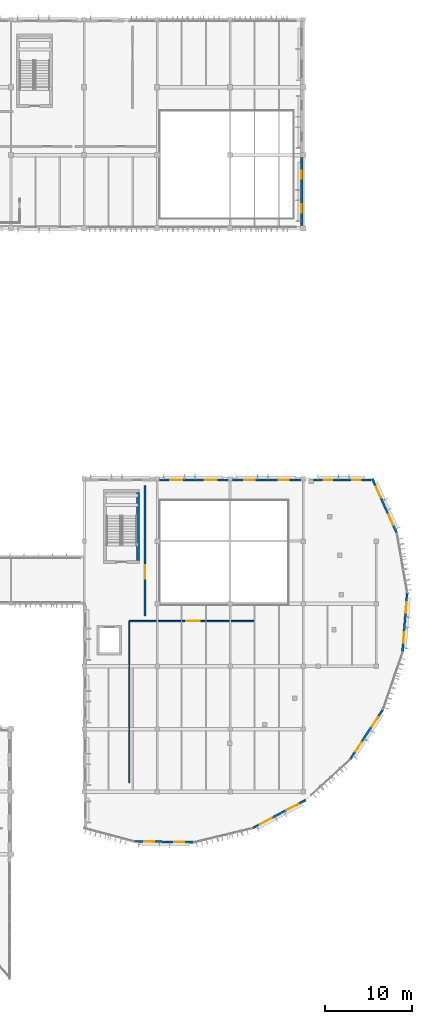
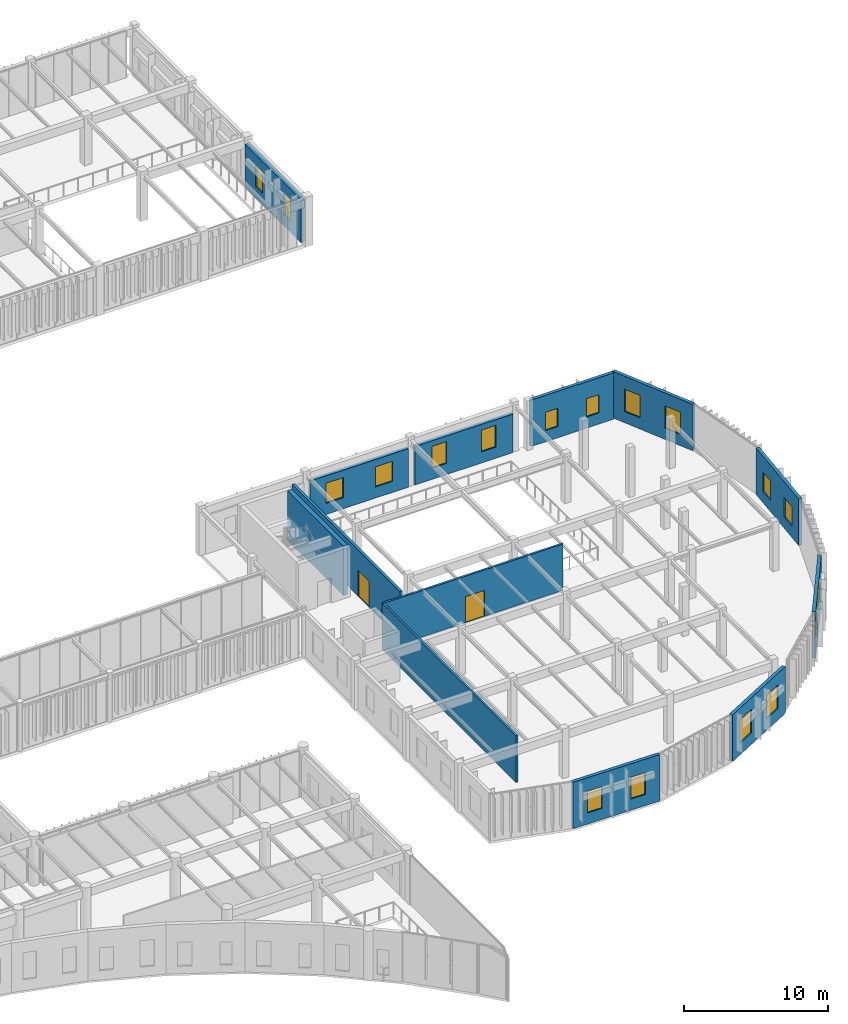
# One storey, part 47 of 122: 18 windows, 13 walls, 2 doors, 20 openings.
"""IFC4 building model written with IfcOpenShell, lengths in metres."""

from ifc_helpers import new_model, si_unit, direction, frame, frame_2d, origin, place, context, subcontext, project, spatial, rectangle, extrude, material, layer, layer_set, type_object, element, fill, save


model = new_model("IFC4")

# Units and contexts
model_context = context("Model", 3, precision=1e-05, world=origin(), true_north=direction((0.0, 1.0)))
body_context = subcontext(model_context, "Body", "Model", "MODEL_VIEW")
ifc_project = project(units=[si_unit("LENGTHUNIT", "METRE"), si_unit("AREAUNIT", "SQUARE_METRE"), si_unit("VOLUMEUNIT", "CUBIC_METRE"), si_unit("PLANEANGLEUNIT", "RADIAN"), si_unit("MASSUNIT", "GRAM", prefix="KILO")], contexts=[model_context])

# Site, building, storey
site_placement = place(None, origin())
site = spatial("IfcSite", under=ifc_project, at=site_placement, CompositionType="ELEMENT")
building_placement = place(site_placement, origin())
building = spatial("IfcBuilding", under=site, at=building_placement, Name="Tazoul Stagehouse", CompositionType="ELEMENT")
storey_placement = place(building_placement, frame((0.0, 0.0, 4.800048828125)))
storey = spatial("IfcBuildingStorey", under=building, at=storey_placement, Name="L01", CompositionType="ELEMENT", Elevation=4.800048828125)

# Wall
ifc_material_1 = material(Name="Concrete C40/50", Category="concrete")
ifc_layer_1 = layer(ifc_material_1, 0.35009765625, Name="Concrete C40/50")
ifc_layer_set_1 = layer_set([ifc_layer_1], Name="Concrete C40/50")
wall_type_1 = type_object("IfcWallType", Name="Core Shear Wall 350", PredefinedType="SOLIDWALL", material=ifc_layer_set_1)
wall_1_placement = place(storey_placement, frame((131.625, 57.39990234375, 0.0), z_axis=(0.0, 0.0, 1.0), x_axis=(0.0, -1.0, 0.0)))
element("IfcWall", 1, at=wall_1_placement, inside=storey, type_object=wall_type_1, Name="L01 Core Wall CW-350 (SHF-ST-07-east)", PredefinedType="SOLIDWALL", context=body_context, shape_type="SweptSolid", body=[
    extrude(rectangle(XDim=7.7998046875, YDim=0.35009765625, at=frame_2d((3.89990234375, 0.0))), origin(), (0.0, 0.0, 1.0), 4.199951171875),
])

# Wall, opening, door
ifc_material_2 = material(Name="Gypsum Acoustic Partition", Category="gypsum")
ifc_layer_2 = layer(ifc_material_2, 0.169921875, Name="Gypsum Acoustic Partition")
ifc_layer_set_2 = layer_set([ifc_layer_2], Name="Gypsum Acoustic Partition")
wall_type_2 = type_object("IfcWallType", Name="Corridor Fire-Rated Partition 170", PredefinedType="PARTITIONING", material=ifc_layer_set_2)
wall_2_placement = place(storey_placement, frame((130.60009765625, 42.60009765625, 0.0), z_axis=(0.0, 0.0, 1.0), x_axis=(1.0, 0.0, 0.0)))
wall_2 = element("IfcWall", 2, at=wall_2_placement, inside=storey, type_object=wall_type_2, Name="L01 Partition PW-170 (PW-RM-L01-052-N)", PredefinedType="PARTITIONING", context=body_context, shape_type="SweptSolid", body=[
    extrude(rectangle(XDim=14.39990234375, YDim=0.169921875, at=frame_2d((7.199951171875, 0.0))), origin(), (0.0, 0.0, 1.0), 3.93994140625),
])
opening_1_placement = place(wall_2_placement, frame((6.549072265625, 0.0, 0.0)))
opening_1 = element("IfcOpeningElement", 3, at=opening_1_placement, cuts=wall_2, Name="Opening ID-16", PredefinedType="OPENING", context=body_context, shape_type="SweptSolid", body=[
    extrude(rectangle(XDim=1.550048828125, YDim=2.199951171875, at=frame_2d((0.77490234375, 1.10009765625))), frame((0.0, 0.10498046875, 0.0), z_axis=(0.0, -1.0, 0.0), x_axis=(1.0, 0.0, 0.0)), (0.0, 0.0, 1.0), 0.2099609375),
])
ifc_material_3 = material(Name="Acoustic Cedar Timber", Category="wood")
door_type = type_object("IfcDoorType", Name="Studio Theatre Acoustic Double Door 1550x2200", OperationType="DOUBLE_DOOR_SINGLE_SWING", PredefinedType="DOOR", material=ifc_material_3)
door_1_placement = place(opening_1_placement, origin())
door_1 = element("IfcDoor", 4, at=door_1_placement, inside=storey, type_object=door_type, Name="L01 Studio Upper Balcony Foyer Door", OperationType="DOUBLE_DOOR_SINGLE_SWING", OverallHeight=2.199951171875, OverallWidth=1.550048828125, PredefinedType="DOOR", context=body_context, shape_type="SweptSolid", body=[
    extrude(rectangle(XDim=1.550048828125, YDim=2.199951171875, at=frame_2d((0.77490234375, 1.10009765625))), frame((0.0, 0.02490234375, 0.0), z_axis=(0.0, -1.0, 0.0), x_axis=(1.0, 0.0, 0.0)), (0.0, 0.0, 1.0), 0.050048828125),
])
fill(opening_1, door_1)

# Wall
wall_3_placement = place(storey_placement, frame((130.60009765625, 24.0, 0.0), z_axis=(0.0, 0.0, 1.0), x_axis=(0.0, 1.0, 0.0)))
element("IfcWall", 5, at=wall_3_placement, inside=storey, type_object=wall_type_2, Name="L01 Partition PW-170 (PW-RM-L01-052-W)", PredefinedType="PARTITIONING", context=body_context, shape_type="SweptSolid", body=[
    extrude(rectangle(XDim=18.60009765625, YDim=0.169921875, at=frame_2d((9.300048828125, 0.0))), origin(), (0.0, 0.0, 1.0), 3.93994140625),
])

# Wall, openings, windows
ifc_material_4 = material(Name="Precast concrete C40/50", Category="concrete")
ifc_layer_3 = layer(ifc_material_4, 0.260009765625, Name="Precast concrete C40/50")
ifc_layer_set_3 = layer_set([ifc_layer_3], Name="Precast concrete C40/50")
wall_type_3 = type_object("IfcWallType", Name="Curved Studio Drum Terracotta-Concrete Wall 260", PredefinedType="SOLIDWALL", material=ifc_layer_set_3)
wall_4_placement = place(storey_placement, frame((131.15869140625, 17.2685546875, 0.0), z_axis=(0.0, 0.0, 1.0), x_axis=(0.999900645824, -0.01409604486, 0.0)))
wall_4 = element("IfcWall", 6, at=wall_4_placement, inside=storey, type_object=wall_type_3, Name="L01 Wall EW-260 (WALL-V4-DRUM-L01-S02-S1)", PredefinedType="SOLIDWALL", context=body_context, shape_type="SweptSolid", body=[
    extrude(rectangle(XDim=6.91064453125, YDim=0.260009765625, at=frame_2d((3.455322265625, 0.0))), origin(), (0.0, 0.0, 1.0), 3.93994140625),
])
opening_2_placement = place(wall_4_placement, frame((1.15771484375, 0.0, 0.949951171875)))
opening_2 = element("IfcOpeningElement", 7, at=opening_2_placement, cuts=wall_4, Name="Opening WN-66", PredefinedType="OPENING", context=body_context, shape_type="SweptSolid", body=[
    extrude(rectangle(XDim=1.139892578125, YDim=1.85009765625, at=frame_2d((0.56982421875, 0.925048828125))), frame((0.0, 0.14990234375, 0.0), z_axis=(0.0, -1.0, 0.0), x_axis=(1.0, 0.0, 0.0)), (0.0, 0.0, 1.0), 0.300048828125),
])
opening_3_placement = place(wall_4_placement, frame((4.61279296875, 0.0, 0.949951171875)))
opening_3 = element("IfcOpeningElement", 8, at=opening_3_placement, cuts=wall_4, Name="Opening WN-66", PredefinedType="OPENING", context=body_context, shape_type="SweptSolid", body=[
    extrude(rectangle(XDim=1.139892578125, YDim=1.85009765625, at=frame_2d((0.56982421875, 0.925048828125))), frame((0.0, 0.14990234375, 0.0), z_axis=(0.0, -1.0, 0.0), x_axis=(1.0, 0.0, 0.0)), (0.0, 0.0, 1.0), 0.300048828125),
])
ifc_material_5 = material(Name="Double Low-E Acoustic Laminated Glass", Category="glass")
window_type_1 = type_object("IfcWindowType", Name="Architectural Acoustic Facade Window 1140x1850", PartitioningType="SINGLE_PANEL", PredefinedType="WINDOW", material=ifc_material_5)
window_1_placement = place(opening_2_placement, origin())
window_1 = element("IfcWindow", 9, at=window_1_placement, inside=storey, type_object=window_type_1, Name="L01 Window WN-66 (WALL-V4-DRUM-L01-S02-S1-W1)", OverallHeight=1.85009765625, OverallWidth=1.139892578125, PartitioningType="SINGLE_PANEL", PredefinedType="WINDOW", context=body_context, shape_type="SweptSolid", body=[
    extrude(rectangle(XDim=1.139892578125, YDim=1.85009765625, at=frame_2d((0.56982421875, 0.925048828125))), frame((0.0, 0.030029296875, 0.0), z_axis=(0.0, -1.0, 0.0), x_axis=(1.0, 0.0, 0.0)), (0.0, 0.0, 1.0), 0.06005859375),
])
fill(opening_2, window_1)
window_2_placement = place(opening_3_placement, origin())
window_2 = element("IfcWindow", 10, at=window_2_placement, inside=storey, type_object=window_type_1, Name="L01 Window WN-66 (WALL-V4-DRUM-L01-S02-S1-W2)", OverallHeight=1.85009765625, OverallWidth=1.139892578125, PartitioningType="SINGLE_PANEL", PredefinedType="WINDOW", context=body_context, shape_type="SweptSolid", body=[
    extrude(rectangle(XDim=1.139892578125, YDim=1.85009765625, at=frame_2d((0.56982421875, 0.925048828125))), frame((0.0, 0.030029296875, 0.0), z_axis=(0.0, -1.0, 0.0), x_axis=(1.0, 0.0, 0.0)), (0.0, 0.0, 1.0), 0.06005859375),
])
fill(opening_3, window_2)

wall_5_placement = place(storey_placement, frame((144.785888671875, 18.793212890625, 0.0), z_axis=(0.0, 0.0, 1.0), x_axis=(0.883302743167, 0.468803011843, 0.0)))
wall_5 = element("IfcWall", 11, at=wall_5_placement, inside=storey, type_object=wall_type_3, Name="L01 Wall EW-260 (WALL-V4-DRUM-L01-S04-S1)", PredefinedType="SOLIDWALL", context=body_context, shape_type="SweptSolid", body=[
    extrude(rectangle(XDim=6.91015625, YDim=0.260009765625, at=frame_2d((3.455078125, 0.0))), origin(), (0.0, 0.0, 1.0), 3.93994140625),
])
opening_4_placement = place(wall_5_placement, frame((0.962646484375, 0.0, 0.949951171875)))
opening_4 = element("IfcOpeningElement", 12, at=opening_4_placement, cuts=wall_5, Name="Opening WN-79", PredefinedType="OPENING", context=body_context, shape_type="SweptSolid", body=[
    extrude(rectangle(XDim=1.530029296875, YDim=2.0, at=frame_2d((0.76513671875, 1.0))), frame((0.0, 0.14990234375, 0.0), z_axis=(0.0, -1.0, 0.0), x_axis=(1.0, 0.0, 0.0)), (0.0, 0.0, 1.0), 0.300048828125),
])
opening_5_placement = place(wall_5_placement, frame((4.417724609375, 0.0, 0.949951171875)))
opening_5 = element("IfcOpeningElement", 13, at=opening_5_placement, cuts=wall_5, Name="Opening WN-79", PredefinedType="OPENING", context=body_context, shape_type="SweptSolid", body=[
    extrude(rectangle(XDim=1.530029296875, YDim=2.0, at=frame_2d((0.76513671875, 1.0))), frame((0.0, 0.14990234375, 0.0), z_axis=(0.0, -1.0, 0.0), x_axis=(1.0, 0.0, 0.0)), (0.0, 0.0, 1.0), 0.300048828125),
])
window_type_2 = type_object("IfcWindowType", Name="Architectural Acoustic Facade Window 1530x2000", PartitioningType="SINGLE_PANEL", PredefinedType="WINDOW", material=ifc_material_5)
window_3_placement = place(opening_4_placement, origin())
window_3 = element("IfcWindow", 14, at=window_3_placement, inside=storey, type_object=window_type_2, Name="L01 Window WN-79 (WALL-V4-DRUM-L01-S04-S1-W1)", OverallHeight=2.0, OverallWidth=1.530029296875, PartitioningType="SINGLE_PANEL", PredefinedType="WINDOW", context=body_context, shape_type="SweptSolid", body=[
    extrude(rectangle(XDim=1.530029296875, YDim=2.0, at=frame_2d((0.76513671875, 1.0))), frame((0.0, 0.030029296875, 0.0), z_axis=(0.0, -1.0, 0.0), x_axis=(1.0, 0.0, 0.0)), (0.0, 0.0, 1.0), 0.06005859375),
])
fill(opening_4, window_3)
window_4_placement = place(opening_5_placement, origin())
window_4 = element("IfcWindow", 15, at=window_4_placement, inside=storey, type_object=window_type_2, Name="L01 Window WN-79 (WALL-V4-DRUM-L01-S04-S1-W2)", OverallHeight=2.0, OverallWidth=1.530029296875, PartitioningType="SINGLE_PANEL", PredefinedType="WINDOW", context=body_context, shape_type="SweptSolid", body=[
    extrude(rectangle(XDim=1.530029296875, YDim=2.0, at=frame_2d((0.76513671875, 1.0))), frame((0.0, 0.030029296875, 0.0), z_axis=(0.0, -1.0, 0.0), x_axis=(1.0, 0.0, 0.0)), (0.0, 0.0, 1.0), 0.06005859375),
])
fill(opening_5, window_4)

wall_6_placement = place(storey_placement, frame((155.99755859375, 26.687255859375, 0.0), z_axis=(0.0, 0.0, 1.0), x_axis=(0.548668788702, 0.836039807846, 0.0)))
wall_6 = element("IfcWall", 16, at=wall_6_placement, inside=storey, type_object=wall_type_3, Name="L01 Wall EW-260 (WALL-V4-DRUM-L01-S06-S1)", PredefinedType="SOLIDWALL", context=body_context, shape_type="SweptSolid", body=[
    extrude(rectangle(XDim=6.910400390625, YDim=0.260009765625, at=frame_2d((3.455078125, 0.0))), origin(), (0.0, 0.0, 1.0), 3.93994140625),
])
opening_6_placement = place(wall_6_placement, frame((1.09765625, 0.0, 0.949951171875)))
opening_6 = element("IfcOpeningElement", 17, at=opening_6_placement, cuts=wall_6, Name="Opening WN-45", PredefinedType="OPENING", context=body_context, shape_type="SweptSolid", body=[
    extrude(rectangle(XDim=1.260009765625, YDim=1.64990234375, at=frame_2d((0.6298828125, 0.824951171875))), frame((0.0, 0.14990234375, 0.0), z_axis=(0.0, -1.0, 0.0), x_axis=(1.0, 0.0, 0.0)), (0.0, 0.0, 1.0), 0.300048828125),
])
opening_7_placement = place(wall_6_placement, frame((4.552734375, 0.0, 0.949951171875)))
opening_7 = element("IfcOpeningElement", 18, at=opening_7_placement, cuts=wall_6, Name="Opening WN-45", PredefinedType="OPENING", context=body_context, shape_type="SweptSolid", body=[
    extrude(rectangle(XDim=1.260009765625, YDim=1.64990234375, at=frame_2d((0.6298828125, 0.824951171875))), frame((0.0, 0.14990234375, 0.0), z_axis=(0.0, -1.0, 0.0), x_axis=(1.0, 0.0, 0.0)), (0.0, 0.0, 1.0), 0.300048828125),
])
window_type_3 = type_object("IfcWindowType", Name="Architectural Acoustic Facade Window 1260x1650", PartitioningType="SINGLE_PANEL", PredefinedType="WINDOW", material=ifc_material_5)
window_5_placement = place(opening_6_placement, origin())
window_5 = element("IfcWindow", 19, at=window_5_placement, inside=storey, type_object=window_type_3, Name="L01 Window WN-45 (WALL-V4-DRUM-L01-S06-S1-W1)", OverallHeight=1.64990234375, OverallWidth=1.260009765625, PartitioningType="SINGLE_PANEL", PredefinedType="WINDOW", context=body_context, shape_type="SweptSolid", body=[
    extrude(rectangle(XDim=1.260009765625, YDim=1.64990234375, at=frame_2d((0.6298828125, 0.824951171875))), frame((0.0, 0.030029296875, 0.0), z_axis=(0.0, -1.0, 0.0), x_axis=(1.0, 0.0, 0.0)), (0.0, 0.0, 1.0), 0.06005859375),
])
fill(opening_6, window_5)
window_6_placement = place(opening_7_placement, origin())
window_6 = element("IfcWindow", 20, at=window_6_placement, inside=storey, type_object=window_type_3, Name="L01 Window WN-45 (WALL-V4-DRUM-L01-S06-S1-W2)", OverallHeight=1.64990234375, OverallWidth=1.260009765625, PartitioningType="SINGLE_PANEL", PredefinedType="WINDOW", context=body_context, shape_type="SweptSolid", body=[
    extrude(rectangle(XDim=1.260009765625, YDim=1.64990234375, at=frame_2d((0.6298828125, 0.824951171875))), frame((0.0, 0.030029296875, 0.0), z_axis=(0.0, -1.0, 0.0), x_axis=(1.0, 0.0, 0.0)), (0.0, 0.0, 1.0), 0.06005859375),
])
fill(opening_7, window_6)

wall_7_placement = place(storey_placement, frame((162.026611328125, 39.002685546875, 0.0), z_axis=(0.0, 0.0, 1.0), x_axis=(0.078609163402, 0.996905511786, 0.0)))
wall_7 = element("IfcWall", 21, at=wall_7_placement, inside=storey, type_object=wall_type_3, Name="L01 Wall EW-260 (WALL-V4-DRUM-L01-S08-S1)", PredefinedType="SOLIDWALL", context=body_context, shape_type="SweptSolid", body=[
    extrude(rectangle(XDim=6.910400390625, YDim=0.260009765625, at=frame_2d((3.455078125, 0.0))), origin(), (0.0, 0.0, 1.0), 3.93994140625),
])
opening_8_placement = place(wall_7_placement, frame((1.112548828125, 0.0, 0.949951171875)))
opening_8 = element("IfcOpeningElement", 22, at=opening_8_placement, cuts=wall_7, Name="Opening WN-44", PredefinedType="OPENING", context=body_context, shape_type="SweptSolid", body=[
    extrude(rectangle(XDim=1.22998046875, YDim=1.64990234375, at=frame_2d((0.614990234375, 0.824951171875))), frame((0.0, 0.14990234375, 0.0), z_axis=(0.0, -1.0, 0.0), x_axis=(1.0, 0.0, 0.0)), (0.0, 0.0, 1.0), 0.300048828125),
])
opening_9_placement = place(wall_7_placement, frame((4.567626953125, 0.0, 0.949951171875)))
opening_9 = element("IfcOpeningElement", 23, at=opening_9_placement, cuts=wall_7, Name="Opening WN-44", PredefinedType="OPENING", context=body_context, shape_type="SweptSolid", body=[
    extrude(rectangle(XDim=1.22998046875, YDim=1.64990234375, at=frame_2d((0.614990234375, 0.824951171875))), frame((0.0, 0.14990234375, 0.0), z_axis=(0.0, -1.0, 0.0), x_axis=(1.0, 0.0, 0.0)), (0.0, 0.0, 1.0), 0.300048828125),
])
window_type_4 = type_object("IfcWindowType", Name="Architectural Acoustic Facade Window 1230x1650", PartitioningType="SINGLE_PANEL", PredefinedType="WINDOW", material=ifc_material_5)
window_7_placement = place(opening_8_placement, origin())
window_7 = element("IfcWindow", 24, at=window_7_placement, inside=storey, type_object=window_type_4, Name="L01 Window WN-44 (WALL-V4-DRUM-L01-S08-S1-W1)", OverallHeight=1.64990234375, OverallWidth=1.22998046875, PartitioningType="SINGLE_PANEL", PredefinedType="WINDOW", context=body_context, shape_type="SweptSolid", body=[
    extrude(rectangle(XDim=1.22998046875, YDim=1.64990234375, at=frame_2d((0.614990234375, 0.824951171875))), frame((0.0, 0.030029296875, 0.0), z_axis=(0.0, -1.0, 0.0), x_axis=(1.0, 0.0, 0.0)), (0.0, 0.0, 1.0), 0.06005859375),
])
fill(opening_8, window_7)
window_8_placement = place(opening_9_placement, origin())
window_8 = element("IfcWindow", 25, at=window_8_placement, inside=storey, type_object=window_type_4, Name="L01 Window WN-44 (WALL-V4-DRUM-L01-S08-S1-W2)", OverallHeight=1.64990234375, OverallWidth=1.22998046875, PartitioningType="SINGLE_PANEL", PredefinedType="WINDOW", context=body_context, shape_type="SweptSolid", body=[
    extrude(rectangle(XDim=1.22998046875, YDim=1.64990234375, at=frame_2d((0.614990234375, 0.824951171875))), frame((0.0, 0.030029296875, 0.0), z_axis=(0.0, -1.0, 0.0), x_axis=(1.0, 0.0, 0.0)), (0.0, 0.0, 1.0), 0.06005859375),
])
fill(opening_9, window_8)

wall_8_placement = place(storey_placement, frame((161.384765625, 52.69970703125, 0.0), z_axis=(0.0, 0.0, 1.0), x_axis=(-0.410843511641, 0.911705878528, 0.0)))
wall_8 = element("IfcWall", 26, at=wall_8_placement, inside=storey, type_object=wall_type_3, Name="L01 Wall EW-260 (WALL-V4-DRUM-L01-S10-S1)", PredefinedType="SOLIDWALL", context=body_context, shape_type="SweptSolid", body=[
    extrude(rectangle(XDim=6.910400390625, YDim=0.260009765625, at=frame_2d((3.455078125, 0.0))), origin(), (0.0, 0.0, 1.0), 3.93994140625),
])
opening_10_placement = place(wall_8_placement, frame((1.067626953125, 0.0, 0.949951171875)))
opening_10 = element("IfcOpeningElement", 27, at=opening_10_placement, cuts=wall_8, Name="Opening WN-72", PredefinedType="OPENING", context=body_context, shape_type="SweptSolid", body=[
    extrude(rectangle(XDim=1.320068359375, YDim=1.89990234375, at=frame_2d((0.66015625, 0.949951171875))), frame((0.0, 0.14990234375, 0.0), z_axis=(0.0, -1.0, 0.0), x_axis=(1.0, 0.0, 0.0)), (0.0, 0.0, 1.0), 0.300048828125),
])
opening_11_placement = place(wall_8_placement, frame((4.522705078125, 0.0, 0.949951171875)))
opening_11 = element("IfcOpeningElement", 28, at=opening_11_placement, cuts=wall_8, Name="Opening WN-72", PredefinedType="OPENING", context=body_context, shape_type="SweptSolid", body=[
    extrude(rectangle(XDim=1.320068359375, YDim=1.89990234375, at=frame_2d((0.66015625, 0.949951171875))), frame((0.0, 0.14990234375, 0.0), z_axis=(0.0, -1.0, 0.0), x_axis=(1.0, 0.0, 0.0)), (0.0, 0.0, 1.0), 0.300048828125),
])
window_type_5 = type_object("IfcWindowType", Name="Architectural Acoustic Facade Window 1320x1900", PartitioningType="SINGLE_PANEL", PredefinedType="WINDOW", material=ifc_material_5)
window_9_placement = place(opening_10_placement, origin())
window_9 = element("IfcWindow", 29, at=window_9_placement, inside=storey, type_object=window_type_5, Name="L01 Window WN-72 (WALL-V4-DRUM-L01-S10-S1-W1)", OverallHeight=1.89990234375, OverallWidth=1.320068359375, PartitioningType="SINGLE_PANEL", PredefinedType="WINDOW", context=body_context, shape_type="SweptSolid", body=[
    extrude(rectangle(XDim=1.320068359375, YDim=1.89990234375, at=frame_2d((0.66015625, 0.949951171875))), frame((0.0, 0.030029296875, 0.0), z_axis=(0.0, -1.0, 0.0), x_axis=(1.0, 0.0, 0.0)), (0.0, 0.0, 1.0), 0.06005859375),
])
fill(opening_10, window_9)
window_10_placement = place(opening_11_placement, origin())
window_10 = element("IfcWindow", 30, at=window_10_placement, inside=storey, type_object=window_type_5, Name="L01 Window WN-72 (WALL-V4-DRUM-L01-S10-S1-W2)", OverallHeight=1.89990234375, OverallWidth=1.320068359375, PartitioningType="SINGLE_PANEL", PredefinedType="WINDOW", context=body_context, shape_type="SweptSolid", body=[
    extrude(rectangle(XDim=1.320068359375, YDim=1.89990234375, at=frame_2d((0.66015625, 0.949951171875))), frame((0.0, 0.030029296875, 0.0), z_axis=(0.0, -1.0, 0.0), x_axis=(1.0, 0.0, 0.0)), (0.0, 0.0, 1.0), 0.06005859375),
])
fill(opening_11, window_10)

wall_9_placement = place(storey_placement, frame((134.054931640625, 58.85009765625, 0.0), z_axis=(0.0, 0.0, 1.0), x_axis=(1.0, 0.0, 0.0)))
wall_9 = element("IfcWall", 31, at=wall_9_placement, inside=storey, type_object=wall_type_3, Name="L01 Wall EW-260 (WALL-V4-N-L01-S2)", PredefinedType="SOLIDWALL", context=body_context, shape_type="SweptSolid", body=[
    extrude(rectangle(XDim=7.89013671875, YDim=0.260009765625, at=frame_2d((3.945068359375, 0.0))), origin(), (0.0, 0.0, 1.0), 3.27294921875),
])
opening_12_placement = place(wall_9_placement, frame((1.282470703125, 0.0, 0.949951171875)))
opening_12 = element("IfcOpeningElement", 32, at=opening_12_placement, cuts=wall_9, Name="Opening WN-49", PredefinedType="OPENING", context=body_context, shape_type="SweptSolid", body=[
    extrude(rectangle(XDim=1.3798828125, YDim=1.699951171875, at=frame_2d((0.68994140625, 0.85009765625))), frame((0.0, 0.14990234375, 0.0), z_axis=(0.0, -1.0, 0.0), x_axis=(1.0, 0.0, 0.0)), (0.0, 0.0, 1.0), 0.300048828125),
])
opening_13_placement = place(wall_9_placement, frame((5.2275390625, 0.0, 0.949951171875)))
opening_13 = element("IfcOpeningElement", 33, at=opening_13_placement, cuts=wall_9, Name="Opening WN-49", PredefinedType="OPENING", context=body_context, shape_type="SweptSolid", body=[
    extrude(rectangle(XDim=1.3798828125, YDim=1.699951171875, at=frame_2d((0.68994140625, 0.85009765625))), frame((0.0, 0.14990234375, 0.0), z_axis=(0.0, -1.0, 0.0), x_axis=(1.0, 0.0, 0.0)), (0.0, 0.0, 1.0), 0.300048828125),
])
window_type_6 = type_object("IfcWindowType", Name="Architectural Acoustic Facade Window 1380x1700", PartitioningType="SINGLE_PANEL", PredefinedType="WINDOW", material=ifc_material_5)
window_11_placement = place(opening_12_placement, origin())
window_11 = element("IfcWindow", 34, at=window_11_placement, inside=storey, type_object=window_type_6, Name="L01 Window WN-49 (WALL-V4-N-L01-S2-W1)", OverallHeight=1.699951171875, OverallWidth=1.3798828125, PartitioningType="SINGLE_PANEL", PredefinedType="WINDOW", context=body_context, shape_type="SweptSolid", body=[
    extrude(rectangle(XDim=1.3798828125, YDim=1.699951171875, at=frame_2d((0.68994140625, 0.85009765625))), frame((0.0, 0.030029296875, 0.0), z_axis=(0.0, -1.0, 0.0), x_axis=(1.0, 0.0, 0.0)), (0.0, 0.0, 1.0), 0.06005859375),
])
fill(opening_12, window_11)
window_12_placement = place(opening_13_placement, origin())
window_12 = element("IfcWindow", 35, at=window_12_placement, inside=storey, type_object=window_type_6, Name="L01 Window WN-49 (WALL-V4-N-L01-S2-W2)", OverallHeight=1.699951171875, OverallWidth=1.3798828125, PartitioningType="SINGLE_PANEL", PredefinedType="WINDOW", context=body_context, shape_type="SweptSolid", body=[
    extrude(rectangle(XDim=1.3798828125, YDim=1.699951171875, at=frame_2d((0.68994140625, 0.85009765625))), frame((0.0, 0.030029296875, 0.0), z_axis=(0.0, -1.0, 0.0), x_axis=(1.0, 0.0, 0.0)), (0.0, 0.0, 1.0), 0.06005859375),
])
fill(opening_13, window_12)

wall_10_placement = place(storey_placement, frame((142.455078125, 58.85009765625, 0.0), z_axis=(0.0, 0.0, 1.0), x_axis=(1.0, 0.0, 0.0)))
wall_10 = element("IfcWall", 36, at=wall_10_placement, inside=storey, type_object=wall_type_3, Name="L01 Wall EW-260 (WALL-V4-N-L01-S3)", PredefinedType="SOLIDWALL", context=body_context, shape_type="SweptSolid", body=[
    extrude(rectangle(XDim=7.889892578125, YDim=0.260009765625, at=frame_2d((3.94482421875, 0.0))), origin(), (0.0, 0.0, 1.0), 3.27294921875),
])
opening_14_placement = place(wall_10_placement, frame((1.387451171875, 0.0, 0.949951171875)))
opening_14 = element("IfcOpeningElement", 37, at=opening_14_placement, cuts=wall_10, Name="Opening WN-67", PredefinedType="OPENING", context=body_context, shape_type="SweptSolid", body=[
    extrude(rectangle(XDim=1.169921875, YDim=1.85009765625, at=frame_2d((0.5849609375, 0.925048828125))), frame((0.0, 0.14990234375, 0.0), z_axis=(0.0, -1.0, 0.0), x_axis=(1.0, 0.0, 0.0)), (0.0, 0.0, 1.0), 0.300048828125),
])
opening_15_placement = place(wall_10_placement, frame((5.33251953125, 0.0, 0.949951171875)))
opening_15 = element("IfcOpeningElement", 38, at=opening_15_placement, cuts=wall_10, Name="Opening WN-67", PredefinedType="OPENING", context=body_context, shape_type="SweptSolid", body=[
    extrude(rectangle(XDim=1.169921875, YDim=1.85009765625, at=frame_2d((0.5849609375, 0.925048828125))), frame((0.0, 0.14990234375, 0.0), z_axis=(0.0, -1.0, 0.0), x_axis=(1.0, 0.0, 0.0)), (0.0, 0.0, 1.0), 0.300048828125),
])
window_type_7 = type_object("IfcWindowType", Name="Architectural Acoustic Facade Window 1170x1850", PartitioningType="SINGLE_PANEL", PredefinedType="WINDOW", material=ifc_material_5)
window_13_placement = place(opening_14_placement, origin())
window_13 = element("IfcWindow", 39, at=window_13_placement, inside=storey, type_object=window_type_7, Name="L01 Window WN-67 (WALL-V4-N-L01-S3-W1)", OverallHeight=1.85009765625, OverallWidth=1.169921875, PartitioningType="SINGLE_PANEL", PredefinedType="WINDOW", context=body_context, shape_type="SweptSolid", body=[
    extrude(rectangle(XDim=1.169921875, YDim=1.85009765625, at=frame_2d((0.5849609375, 0.925048828125))), frame((0.0, 0.030029296875, 0.0), z_axis=(0.0, -1.0, 0.0), x_axis=(1.0, 0.0, 0.0)), (0.0, 0.0, 1.0), 0.06005859375),
])
fill(opening_14, window_13)
window_14_placement = place(opening_15_placement, origin())
window_14 = element("IfcWindow", 40, at=window_14_placement, inside=storey, type_object=window_type_7, Name="L01 Window WN-67 (WALL-V4-N-L01-S3-W2)", OverallHeight=1.85009765625, OverallWidth=1.169921875, PartitioningType="SINGLE_PANEL", PredefinedType="WINDOW", context=body_context, shape_type="SweptSolid", body=[
    extrude(rectangle(XDim=1.169921875, YDim=1.85009765625, at=frame_2d((0.5849609375, 0.925048828125))), frame((0.0, 0.030029296875, 0.0), z_axis=(0.0, -1.0, 0.0), x_axis=(1.0, 0.0, 0.0)), (0.0, 0.0, 1.0), 0.06005859375),
])
fill(opening_15, window_14)

wall_11_placement = place(storey_placement, frame((151.783203125, 58.85009765625, 0.0), z_axis=(0.0, 0.0, 1.0), x_axis=(1.0, 0.0, 0.0)))
wall_11 = element("IfcWall", 41, at=wall_11_placement, inside=storey, type_object=wall_type_3, Name="L01 Wall EW-260 (WALL-V4-N-L01-S4)", PredefinedType="SOLIDWALL", context=body_context, shape_type="SweptSolid", body=[
    extrude(rectangle(XDim=6.61669921875, YDim=0.260009765625, at=frame_2d((3.308349609375, 0.0))), origin(), (0.0, 0.0, 1.0), 3.93994140625),
])
opening_16_placement = place(wall_11_placement, frame((1.1591796875, 0.0, 0.949951171875)))
opening_16 = element("IfcOpeningElement", 42, at=opening_16_placement, cuts=wall_11, Name="Opening WN-36", PredefinedType="OPENING", context=body_context, shape_type="SweptSolid", body=[
    extrude(rectangle(XDim=0.989990234375, YDim=1.550048828125, at=frame_2d((0.4951171875, 0.77490234375))), frame((0.0, 0.14990234375, 0.0), z_axis=(0.0, -1.0, 0.0), x_axis=(1.0, 0.0, 0.0)), (0.0, 0.0, 1.0), 0.300048828125),
])
opening_17_placement = place(wall_11_placement, frame((4.467529296875, 0.0, 0.949951171875)))
opening_17 = element("IfcOpeningElement", 43, at=opening_17_placement, cuts=wall_11, Name="Opening WN-36", PredefinedType="OPENING", context=body_context, shape_type="SweptSolid", body=[
    extrude(rectangle(XDim=0.989990234375, YDim=1.550048828125, at=frame_2d((0.4951171875, 0.77490234375))), frame((0.0, 0.14990234375, 0.0), z_axis=(0.0, -1.0, 0.0), x_axis=(1.0, 0.0, 0.0)), (0.0, 0.0, 1.0), 0.300048828125),
])
window_type_8 = type_object("IfcWindowType", Name="Architectural Acoustic Facade Window 990x1550", PartitioningType="SINGLE_PANEL", PredefinedType="WINDOW", material=ifc_material_5)
window_15_placement = place(opening_16_placement, origin())
window_15 = element("IfcWindow", 44, at=window_15_placement, inside=storey, type_object=window_type_8, Name="L01 Window WN-36 (WALL-V4-N-L01-S4-W1)", OverallHeight=1.550048828125, OverallWidth=0.989990234375, PartitioningType="SINGLE_PANEL", PredefinedType="WINDOW", context=body_context, shape_type="SweptSolid", body=[
    extrude(rectangle(XDim=0.989990234375, YDim=1.550048828125, at=frame_2d((0.4951171875, 0.77490234375))), frame((0.0, 0.030029296875, 0.0), z_axis=(0.0, -1.0, 0.0), x_axis=(1.0, 0.0, 0.0)), (0.0, 0.0, 1.0), 0.06005859375),
])
fill(opening_16, window_15)
window_16_placement = place(opening_17_placement, origin())
window_16 = element("IfcWindow", 45, at=window_16_placement, inside=storey, type_object=window_type_8, Name="L01 Window WN-36 (WALL-V4-N-L01-S4-W2)", OverallHeight=1.550048828125, OverallWidth=0.989990234375, PartitioningType="SINGLE_PANEL", PredefinedType="WINDOW", context=body_context, shape_type="SweptSolid", body=[
    extrude(rectangle(XDim=0.989990234375, YDim=1.550048828125, at=frame_2d((0.4951171875, 0.77490234375))), frame((0.0, 0.030029296875, 0.0), z_axis=(0.0, -1.0, 0.0), x_axis=(1.0, 0.0, 0.0)), (0.0, 0.0, 1.0), 0.06005859375),
])
fill(opening_17, window_16)

ifc_layer_4 = layer(ifc_material_4, 0.280029296875, Name="Precast concrete C40/50")
ifc_layer_set_4 = layer_set([ifc_layer_4], Name="Precast concrete C40/50")
wall_type_4 = type_object("IfcWallType", Name="Insulated Precast Acoustic Cladding Wall 280", PredefinedType="SOLIDWALL", material=ifc_layer_set_4)
wall_12_placement = place(storey_placement, frame((150.419921875, 88.10498046875, 0.0), z_axis=(0.0, 0.0, 1.0), x_axis=(0.0, 1.0, 0.0)))
wall_12 = element("IfcWall", 46, at=wall_12_placement, inside=storey, type_object=wall_type_4, Name="L01 Wall EW-280 (WALL-V3-E-L01-S1)", PredefinedType="SOLIDWALL", context=body_context, shape_type="SweptSolid", body=[
    extrude(rectangle(XDim=7.7900390625, YDim=0.280029296875, at=frame_2d((3.89501953125, 0.0))), origin(), (0.0, 0.0, 1.0), 3.65283203125),
])
opening_18_placement = place(wall_12_placement, frame((1.467529296875, 0.0, 0.949951171875)))
opening_18 = element("IfcOpeningElement", 47, at=opening_18_placement, cuts=wall_12, Name="Opening WN-60", PredefinedType="OPENING", context=body_context, shape_type="SweptSolid", body=[
    extrude(rectangle(XDim=0.9599609375, YDim=1.800048828125, at=frame_2d((0.47998046875, 0.89990234375))), frame((0.0, 0.159912109375, 0.0), z_axis=(0.0, -1.0, 0.0), x_axis=(1.0, 0.0, 0.0)), (0.0, 0.0, 1.0), 0.320068359375),
])
opening_19_placement = place(wall_12_placement, frame((5.362548828125, 0.0, 0.949951171875)))
opening_19 = element("IfcOpeningElement", 48, at=opening_19_placement, cuts=wall_12, Name="Opening WN-60", PredefinedType="OPENING", context=body_context, shape_type="SweptSolid", body=[
    extrude(rectangle(XDim=0.9599609375, YDim=1.800048828125, at=frame_2d((0.47998046875, 0.89990234375))), frame((0.0, 0.159912109375, 0.0), z_axis=(0.0, -1.0, 0.0), x_axis=(1.0, 0.0, 0.0)), (0.0, 0.0, 1.0), 0.320068359375),
])
window_type_9 = type_object("IfcWindowType", Name="Architectural Acoustic Facade Window 960x1800", PartitioningType="SINGLE_PANEL", PredefinedType="WINDOW", material=ifc_material_5)
window_17_placement = place(opening_18_placement, origin())
window_17 = element("IfcWindow", 49, at=window_17_placement, inside=storey, type_object=window_type_9, Name="L01 Window WN-60 (WALL-V3-E-L01-S1-W1)", OverallHeight=1.800048828125, OverallWidth=0.9599609375, PartitioningType="SINGLE_PANEL", PredefinedType="WINDOW", context=body_context, shape_type="SweptSolid", body=[
    extrude(rectangle(XDim=0.9599609375, YDim=1.800048828125, at=frame_2d((0.47998046875, 0.89990234375))), frame((0.0, 0.030029296875, 0.0), z_axis=(0.0, -1.0, 0.0), x_axis=(1.0, 0.0, 0.0)), (0.0, 0.0, 1.0), 0.06005859375),
])
fill(opening_18, window_17)
window_18_placement = place(opening_19_placement, origin())
window_18 = element("IfcWindow", 50, at=window_18_placement, inside=storey, type_object=window_type_9, Name="L01 Window WN-60 (WALL-V3-E-L01-S1-W2)", OverallHeight=1.800048828125, OverallWidth=0.9599609375, PartitioningType="SINGLE_PANEL", PredefinedType="WINDOW", context=body_context, shape_type="SweptSolid", body=[
    extrude(rectangle(XDim=0.9599609375, YDim=1.800048828125, at=frame_2d((0.47998046875, 0.89990234375))), frame((0.0, 0.030029296875, 0.0), z_axis=(0.0, -1.0, 0.0), x_axis=(1.0, 0.0, 0.0)), (0.0, 0.0, 1.0), 0.06005859375),
])
fill(opening_19, window_18)

# Wall, opening, door
ifc_layer_5 = layer(ifc_material_2, 0.2099609375, Name="Gypsum Acoustic Partition")
ifc_layer_set_5 = layer_set([ifc_layer_5], Name="Gypsum Acoustic Partition")
wall_type_5 = type_object("IfcWallType", Name="Rehearsal Room Acoustic Partition 210", PredefinedType="PARTITIONING", material=ifc_layer_set_5)
wall_13_placement = place(storey_placement, frame((132.39990234375, 43.199951171875, 0.0), z_axis=(0.0, 0.0, 1.0), x_axis=(0.0, 1.0, 0.0)))
wall_13 = element("IfcWall", 51, at=wall_13_placement, inside=storey, type_object=wall_type_5, Name="L01 Partition PW-210 (PW-RM-L01-119-W)", PredefinedType="PARTITIONING", context=body_context, shape_type="SweptSolid", body=[
    extrude(rectangle(XDim=15.0, YDim=0.2099609375, at=frame_2d((7.5, 0.0))), origin(), (0.0, 0.0, 1.0), 3.93994140625),
])
opening_20_placement = place(wall_13_placement, frame((4.273193359375, 0.0, 0.0)))
opening_20 = element("IfcOpeningElement", 52, at=opening_20_placement, cuts=wall_13, Name="Opening ID-16", PredefinedType="OPENING", context=body_context, shape_type="SweptSolid", body=[
    extrude(rectangle(XDim=1.550048828125, YDim=2.199951171875, at=frame_2d((0.77490234375, 1.10009765625))), frame((0.0, 0.125, 0.0), z_axis=(0.0, -1.0, 0.0), x_axis=(1.0, 0.0, 0.0)), (0.0, 0.0, 1.0), 0.25),
])
door_2_placement = place(opening_20_placement, origin())
door_2 = element("IfcDoor", 53, at=door_2_placement, inside=storey, type_object=door_type, Name="L01 Studio Acoustic Control and Foyer Lounge Door", OperationType="DOUBLE_DOOR_SINGLE_SWING", OverallHeight=2.199951171875, OverallWidth=1.550048828125, PredefinedType="DOOR", context=body_context, shape_type="SweptSolid", body=[
    extrude(rectangle(XDim=1.550048828125, YDim=2.199951171875, at=frame_2d((0.77490234375, 1.10009765625))), frame((0.0, 0.02490234375, 0.0), z_axis=(0.0, -1.0, 0.0), x_axis=(1.0, 0.0, 0.0)), (0.0, 0.0, 1.0), 0.050048828125),
])
fill(opening_20, door_2)

save(model, "model.ifc")
